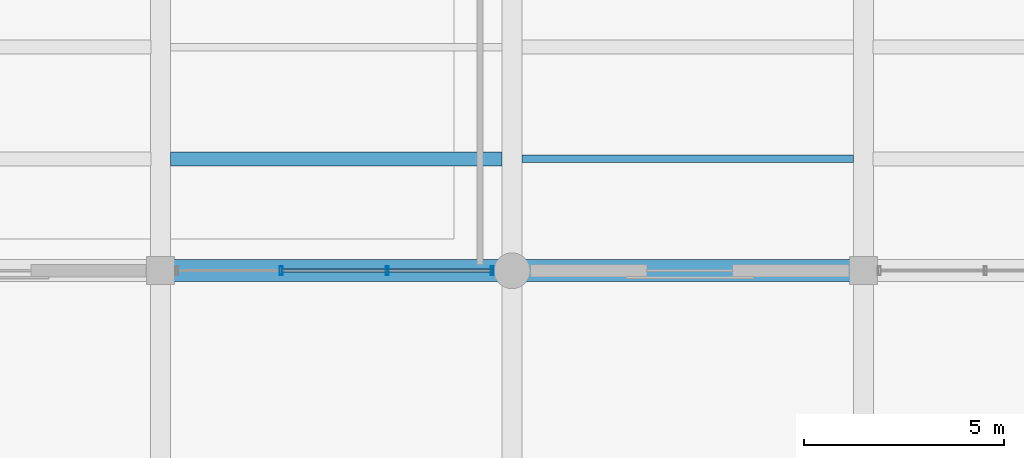
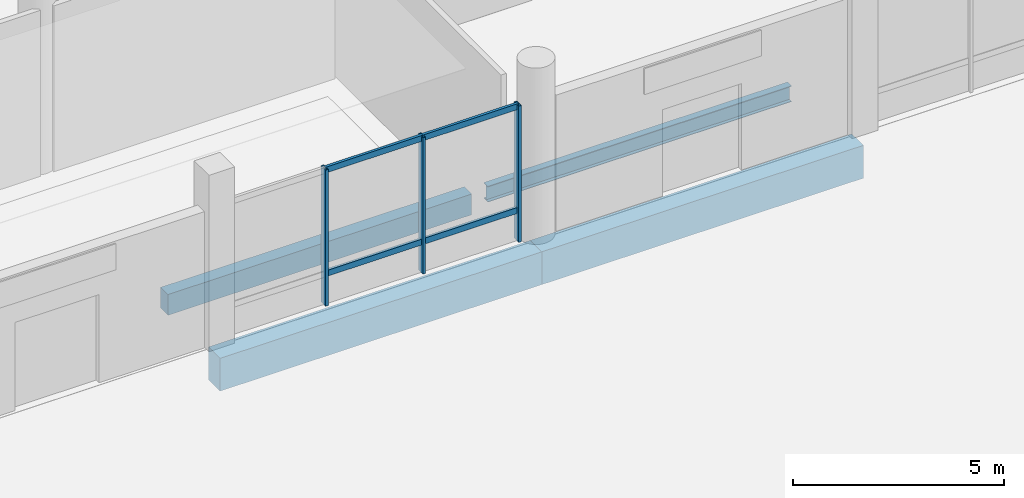
# One storey, part 42 of 73: 7 members, 4 beams, 1 element without a shape of its own.
"""IFC4 building model written with IfcOpenShell, lengths in metres."""

from ifc_helpers import new_model, si_unit, direction, frame, origin, origin_2d, place, context, subcontext, project, spatial, rectangle, hollow_rectangle, i_section, extrude, material, layer, layer_set, material_profile, profile_set, type_object, element, aggregate, save


model = new_model("IFC4")

# Units and contexts
model_context = context("Model", 3, precision=1e-05, world=origin(), true_north=direction((0.0, 1.0)))
body_context = subcontext(model_context, "Body", "Model", "MODEL_VIEW")
ifc_project = project(units=[si_unit("LENGTHUNIT", "METRE"), si_unit("AREAUNIT", "SQUARE_METRE"), si_unit("VOLUMEUNIT", "CUBIC_METRE"), si_unit("PLANEANGLEUNIT", "RADIAN"), si_unit("MASSUNIT", "GRAM", prefix="KILO")], contexts=[model_context])

# Site, building, storey
site_placement = place(None, origin())
site = spatial("IfcSite", under=ifc_project, at=site_placement, CompositionType="ELEMENT")
building_placement = place(site_placement, origin())
building = spatial("IfcBuilding", under=site, at=building_placement, Name="Meriwether Solvik Hall", CompositionType="ELEMENT")
storey_placement = place(building_placement, origin())
storey = spatial("IfcBuildingStorey", under=building, at=storey_placement, Name="L00", CompositionType="ELEMENT", Elevation=0.0)

# Beams
ifc_material_1 = material(Name="Concrete C40/50", Category="concrete")
ifc_material_profile_1 = material_profile(ifc_material_1, rectangle(XDim=0.35009765625, YDim=0.60009765625, at=origin_2d()), Name="RCB-350X600")
ifc_profile_set_1 = profile_set([ifc_material_profile_1], Name="Concrete C40/50")
beam_type_1 = type_object("IfcBeamType", Name="BM-RC-350X600", PredefinedType="JOIST", material=ifc_profile_set_1)
beam_1_placement = place(storey_placement, frame((132.044921875, 52.800048828125, -0.659912109375), z_axis=(1.0, 0.0, 0.0), x_axis=(0.0, 1.0, 0.0)))
element("IfcBeam", 1, at=beam_1_placement, inside=storey, type_object=beam_type_1, Name="Secondary Floor Joist 15/F_J1 (L00)", PredefinedType="JOIST", context=body_context, shape_type="SweptSolid", body=[
    extrude(rectangle(XDim=0.35009765625, YDim=0.60009765625, at=origin_2d()), origin(), (0.0, 0.0, 1.0), 8.31005859375),
])
ifc_material_2 = material(Name="Concrete C40/50", Category="concrete")
ifc_material_profile_2 = material_profile(ifc_material_2, rectangle(XDim=0.550048828125, YDim=0.949951171875, at=origin_2d()), Name="RCB-550X950")
ifc_profile_set_2 = profile_set([ifc_material_profile_2], Name="Concrete C40/50")
beam_type_2 = type_object("IfcBeamType", Name="BM-RC-550X950", PredefinedType="BEAM", material=ifc_profile_set_2)
beam_2_placement = place(storey_placement, frame((131.800048828125, 50.0, -0.8349609375), z_axis=(1.0, 0.0, 0.0), x_axis=(0.0, 1.0, 0.0)))
element("IfcBeam", 2, at=beam_2_placement, inside=storey, type_object=beam_type_2, Name="Podium Girder F:15-16 (L00)", PredefinedType="BEAM", context=body_context, shape_type="SweptSolid", body=[
    extrude(rectangle(XDim=0.550048828125, YDim=0.949951171875, at=origin_2d()), origin(), (0.0, 0.0, 1.0), 8.800048828125),
])
beam_3_placement = place(storey_placement, frame((140.60009765625, 50.0, -0.8349609375), z_axis=(1.0, 0.0, 0.0), x_axis=(0.0, 1.0, 0.0)))
element("IfcBeam", 3, at=beam_3_placement, inside=storey, type_object=beam_type_2, Name="Podium Girder F:16-17 (L00)", PredefinedType="BEAM", context=body_context, shape_type="SweptSolid", body=[
    extrude(rectangle(XDim=0.550048828125, YDim=0.949951171875, at=origin_2d()), origin(), (0.0, 0.0, 1.0), 8.7998046875),
])
ifc_material_3 = material(Name="Steel A992 Grade 50", Category="steel")
ifc_material_profile_3 = material_profile(ifc_material_3, i_section(OverallWidth=0.19091796875, OverallDepth=0.45703125, WebThickness=0.009033203125, FlangeThickness=0.014404296875, at=origin_2d()), Name="W18X50")
ifc_profile_set_3 = profile_set([ifc_material_profile_3], Name="Steel A992 Grade 50")
beam_type_3 = type_object("IfcBeamType", Name="BM-STL-W18X50", PredefinedType="JOIST", material=ifc_profile_set_3)
beam_4_placement = place(storey_placement, frame((140.844970703125, 52.800048828125, -0.58837890625), z_axis=(1.0, 0.0, 0.0), x_axis=(0.0, 1.0, 0.0)))
element("IfcBeam", 4, at=beam_4_placement, inside=storey, type_object=beam_type_3, Name="Secondary Floor Joist 16/F_J1 (L00)", PredefinedType="JOIST", context=body_context, shape_type="SweptSolid", body=[
    extrude(i_section(OverallWidth=0.19091796875, OverallDepth=0.45703125, WebThickness=0.009033203125, FlangeThickness=0.014404296875, at=origin_2d()), origin(), (0.0, 0.0, 1.0), 8.31005859375),
])

# Curtain wall, members
ifc_material_4 = material(Name="Thermally Broken Anodised Aluminium 6063-T6 and Low-E Glass", Category="aluminium")
ifc_layer = layer(ifc_material_4, 0.179931640625)
ifc_layer_set = layer_set([ifc_layer], Name="Thermally Broken Anodised Aluminium 6063-T6 and Low-E Glass")
curtain_wall_type = type_object("IfcCurtainWallType", Name="CW-SF-POD-A", PredefinedType="USERDEFINED", material=ifc_layer_set)
curtain_wall_placement = place(storey_placement, origin())
curtain_wall = element("IfcCurtainWall", 5, at=curtain_wall_placement, inside=storey, type_object=curtain_wall_type, Name="Curtain Wall wing_XF_15_14 (L00)", ObjectType="STICK STOREFRONT GLAZING", PredefinedType="USERDEFINED")
ifc_material_5 = material(Name="Anodised Aluminium 6063-T6", Category="aluminium")
ifc_material_profile_4 = material_profile(ifc_material_5, hollow_rectangle(XDim=0.074951171875, YDim=0.219970703125, WallThickness=0.005615234375, at=origin_2d()), Name="CWM-75X220")
ifc_profile_set_4 = profile_set([ifc_material_profile_4], Name="Anodised Aluminium 6063-T6")
member_type_1 = type_object("IfcMemberType", Name="CW-MUL-75X220", PredefinedType="MULLION", material=ifc_profile_set_4)
member_1_placement = place(storey_placement, frame((140.10009765625, 50.0, 0.0), z_axis=(0.0, 0.0, 1.0), x_axis=(-1.0, 0.0, 0.0)))
member_1 = element("IfcMember", 6, at=member_1_placement, type_object=member_type_1, Name="Curtain Wall Mullion 1", PredefinedType="MULLION", context=body_context, shape_type="SweptSolid", body=[
    extrude(hollow_rectangle(XDim=0.074951171875, YDim=0.219970703125, WallThickness=0.005615234375, at=origin_2d()), origin(), (0.0, 0.0, 1.0), 3.93994140625),
])
member_2_placement = place(storey_placement, frame((137.479248046875, 50.0, 0.0), z_axis=(0.0, 0.0, 1.0), x_axis=(-1.0, 0.0, 0.0)))
member_2 = element("IfcMember", 7, at=member_2_placement, type_object=member_type_1, Name="Curtain Wall Mullion 2", PredefinedType="MULLION", context=body_context, shape_type="SweptSolid", body=[
    extrude(hollow_rectangle(XDim=0.074951171875, YDim=0.219970703125, WallThickness=0.005615234375, at=origin_2d()), origin(), (0.0, 0.0, 1.0), 3.93994140625),
])
member_3_placement = place(storey_placement, frame((134.820556640625, 50.0, 0.0), z_axis=(0.0, 0.0, 1.0), x_axis=(-1.0, 0.0, 0.0)))
member_3 = element("IfcMember", 8, at=member_3_placement, type_object=member_type_1, Name="Curtain Wall Mullion 3", PredefinedType="MULLION", context=body_context, shape_type="SweptSolid", body=[
    extrude(hollow_rectangle(XDim=0.074951171875, YDim=0.219970703125, WallThickness=0.005615234375, at=origin_2d()), origin(), (0.0, 0.0, 1.0), 3.93994140625),
])
ifc_material_6 = material(Name="Anodised Aluminium 6063-T6", Category="aluminium")
ifc_material_profile_5 = material_profile(ifc_material_6, hollow_rectangle(XDim=0.074951171875, YDim=0.169921875, WallThickness=0.005615234375, at=origin_2d()), Name="CWT-75X170")
ifc_profile_set_5 = profile_set([ifc_material_profile_5], Name="Anodised Aluminium 6063-T6")
member_type_2 = type_object("IfcMemberType", Name="CW-TRN-75X170", PredefinedType="USERDEFINED", material=ifc_profile_set_5)
member_4_placement = place(storey_placement, frame((140.10009765625, 50.0, 0.8798828125), z_axis=(-1.0, 0.0, 0.0), x_axis=(0.0, -1.0, 0.0)))
member_4 = element("IfcMember", 9, at=member_4_placement, type_object=member_type_2, Name="Curtain Wall Transom 1-sill", ObjectType="TRANSOM", PredefinedType="USERDEFINED", context=body_context, shape_type="SweptSolid", body=[
    extrude(hollow_rectangle(XDim=0.074951171875, YDim=0.169921875, WallThickness=0.005615234375, at=origin_2d()), origin(), (0.0, 0.0, 1.0), 2.620849609375),
])
member_5_placement = place(storey_placement, frame((140.10009765625, 50.0, 3.8798828125), z_axis=(-1.0, 0.0, 0.0), x_axis=(0.0, -1.0, 0.0)))
member_5 = element("IfcMember", 10, at=member_5_placement, type_object=member_type_2, Name="Curtain Wall Transom 1-head", ObjectType="TRANSOM", PredefinedType="USERDEFINED", context=body_context, shape_type="SweptSolid", body=[
    extrude(hollow_rectangle(XDim=0.074951171875, YDim=0.169921875, WallThickness=0.005615234375, at=origin_2d()), origin(), (0.0, 0.0, 1.0), 2.620849609375),
])
member_6_placement = place(storey_placement, frame((137.479248046875, 50.0, 0.8798828125), z_axis=(-1.0, 0.0, 0.0), x_axis=(0.0, -1.0, 0.0)))
member_6 = element("IfcMember", 11, at=member_6_placement, type_object=member_type_2, Name="Curtain Wall Transom 2-sill", ObjectType="TRANSOM", PredefinedType="USERDEFINED", context=body_context, shape_type="SweptSolid", body=[
    extrude(hollow_rectangle(XDim=0.074951171875, YDim=0.169921875, WallThickness=0.005615234375, at=origin_2d()), origin(), (0.0, 0.0, 1.0), 2.65869140625),
])
member_7_placement = place(storey_placement, frame((137.479248046875, 50.0, 3.8798828125), z_axis=(-1.0, 0.0, 0.0), x_axis=(0.0, -1.0, 0.0)))
member_7 = element("IfcMember", 12, at=member_7_placement, type_object=member_type_2, Name="Curtain Wall Transom 2-head", ObjectType="TRANSOM", PredefinedType="USERDEFINED", context=body_context, shape_type="SweptSolid", body=[
    extrude(hollow_rectangle(XDim=0.074951171875, YDim=0.169921875, WallThickness=0.005615234375, at=origin_2d()), origin(), (0.0, 0.0, 1.0), 2.65869140625),
])
aggregate(curtain_wall, [member_1, member_2, member_3, member_4, member_5, member_6, member_7])

save(model, "model.ifc")
